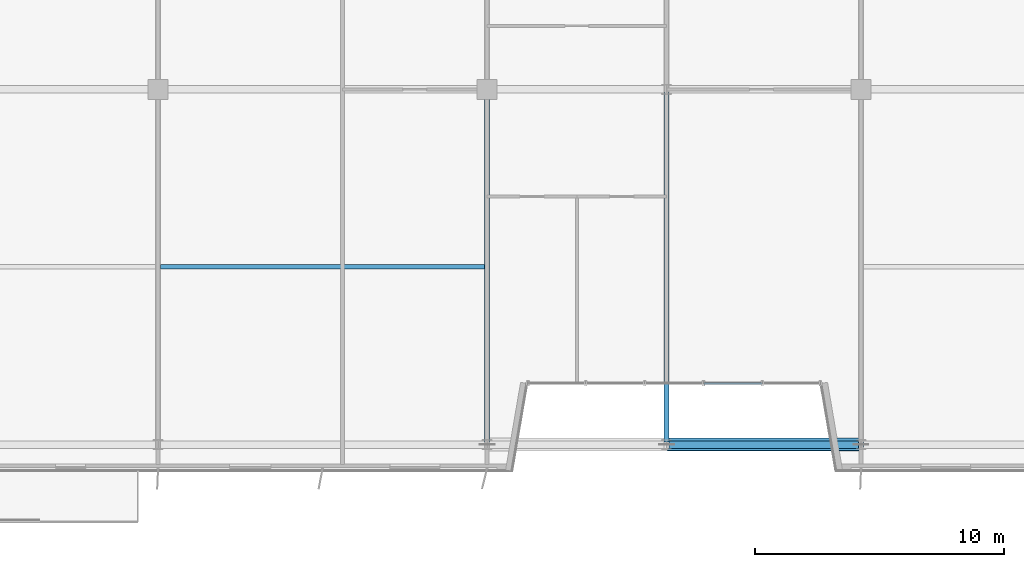
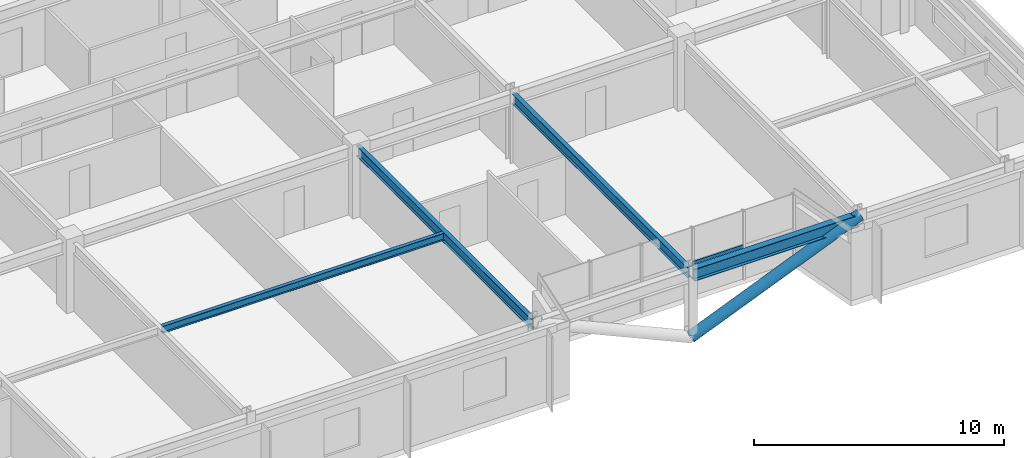
# One storey, part 6 of 26: 4 beams, 2 members, 1 element without a shape of its own.
"""IFC4 building model written with IfcOpenShell, lengths in metres."""

from ifc_helpers import new_model, si_unit, direction, frame, origin, origin_2d, place, context, subcontext, project, spatial, hollow_rectangle, hollow_circle, i_section, extrude, source, transform, mapped, material, material_profile, profile_set, type_object, element, aggregate, save


model = new_model("IFC4")

# Units and contexts
model_context = context("Model", 3, precision=1e-05, world=origin(), true_north=direction((0.0, 1.0)))
body_context = subcontext(model_context, "Body", "Model", "MODEL_VIEW")
ifc_project = project(units=[si_unit("LENGTHUNIT", "METRE"), si_unit("AREAUNIT", "SQUARE_METRE"), si_unit("VOLUMEUNIT", "CUBIC_METRE"), si_unit("PLANEANGLEUNIT", "RADIAN"), si_unit("MASSUNIT", "GRAM", prefix="KILO")], contexts=[model_context])

# Site, building, storey
site_placement = place(None, origin())
site = spatial("IfcSite", under=ifc_project, at=site_placement, CompositionType="ELEMENT")
building_placement = place(site_placement, origin())
building = spatial("IfcBuilding", under=site, at=building_placement, Name="Trelvane Seafront Commons", CompositionType="ELEMENT")
storey_placement = place(building_placement, frame((0.0, 0.0, 124.89990234375)))
storey = spatial("IfcBuildingStorey", under=building, at=storey_placement, Name="L32", CompositionType="ELEMENT", Elevation=124.89990234375)

# Beams
ifc_material_1 = material(Name="Steel SM355 (S355)", Category="steel")
ifc_material_profile_1 = material_profile(ifc_material_1, i_section(OverallWidth=0.300048828125, OverallDepth=0.587890625, WebThickness=0.011962890625, FlangeThickness=0.02001953125, at=origin_2d()), Name="H-588x300x12x20")
ifc_profile_set_1 = profile_set([ifc_material_profile_1], Name="Steel SM355 (S355)")
beam_type_1 = type_object("IfcBeamType", Name="STR-BM-H588", PredefinedType="BEAM", material=ifc_profile_set_1)
shared_shape_1 = source(origin(), body_context, "Body", "SweptSolid", [
    extrude(i_section(OverallWidth=0.300048828125, OverallDepth=0.587890625, WebThickness=0.011962890625, FlangeThickness=0.02001953125, at=origin_2d()), origin(), (0.0, 0.0, 1.0), 7.599853515625),
])
beam_1_placement = place(storey_placement, frame((51.10009765625, 3.949951171875, 3.046142578125), z_axis=(1.0, 0.0, 0.0), x_axis=(0.0, 1.0, 0.0)))
element("IfcBeam", 1, at=beam_1_placement, inside=storey, type_object=beam_type_1, Name="L32 Primary Girder G-07", PredefinedType="BEAM", context=body_context, shape_type="MappedRepresentation", body=[
    mapped(shared_shape_1, transform((0.0, 0.0, 0.0), x_axis=(1.0, 0.0, 0.0), y_axis=(0.0, 1.0, 0.0), z_axis=(0.0, 0.0, 1.0), scale=1.0)),
])
ifc_material_profile_2 = material_profile(ifc_material_1, i_section(OverallWidth=0.199951171875, OverallDepth=0.5, WebThickness=0.010009765625, FlangeThickness=0.01611328125, at=origin_2d()), Name="H-500x200x10x16")
ifc_profile_set_2 = profile_set([ifc_material_profile_2], Name="Steel SM355 (S355)")
beam_type_2 = type_object("IfcBeamType", Name="STR-BM-H500", PredefinedType="BEAM", material=ifc_profile_set_2)
shared_shape_2 = source(origin(), body_context, "Body", "SweptSolid", [
    extrude(i_section(OverallWidth=0.199951171875, OverallDepth=0.5, WebThickness=0.010009765625, FlangeThickness=0.01611328125, at=origin_2d()), origin(), (0.0, 0.0, 1.0), 14.050048828125),
])
beam_2_placement = place(storey_placement, frame((51.0, 4.050048828125, 3.090087890625), z_axis=(0.0, 1.0, 0.0), x_axis=(-1.0, 0.0, 0.0)))
element("IfcBeam", 2, at=beam_2_placement, inside=storey, type_object=beam_type_2, Name="L32 Primary Girder G-55", PredefinedType="BEAM", context=body_context, shape_type="MappedRepresentation", body=[
    mapped(shared_shape_2, transform((0.0, 0.0, 0.0), x_axis=(1.0, 0.0, 0.0), y_axis=(0.0, 1.0, 0.0), z_axis=(0.0, 0.0, 1.0), scale=1.0)),
])
shared_shape_3 = source(origin(), body_context, "Body", "SweptSolid", [
    extrude(i_section(OverallWidth=0.199951171875, OverallDepth=0.5, WebThickness=0.010009765625, FlangeThickness=0.01611328125, at=origin_2d()), origin(), (0.0, 0.0, 1.0), 14.0),
])
beam_3_placement = place(storey_placement, frame((43.800048828125, 4.050048828125, 3.090087890625), z_axis=(0.0, 1.0, 0.0), x_axis=(-1.0, 0.0, 0.0)))
element("IfcBeam", 3, at=beam_3_placement, inside=storey, type_object=beam_type_2, Name="L32 Primary Girder G-52", PredefinedType="BEAM", context=body_context, shape_type="MappedRepresentation", body=[
    mapped(shared_shape_3, transform((0.0, 0.0, 0.0), x_axis=(1.0, 0.0, 0.0), y_axis=(0.0, 1.0, 0.0), z_axis=(0.0, 0.0, 1.0), scale=1.0)),
])
ifc_material_profile_3 = material_profile(ifc_material_1, i_section(OverallWidth=0.175048828125, OverallDepth=0.35009765625, WebThickness=0.007080078125, FlangeThickness=0.010986328125, at=origin_2d()), Name="H-350x175x7x11")
ifc_profile_set_3 = profile_set([ifc_material_profile_3], Name="Steel SM355 (S355)")
beam_type_3 = type_object("IfcBeamType", Name="STR-JST-H350", PredefinedType="JOIST", material=ifc_profile_set_3)
shared_shape_4 = source(origin(), body_context, "Body", "SweptSolid", [
    extrude(i_section(OverallWidth=0.175048828125, OverallDepth=0.35009765625, WebThickness=0.007080078125, FlangeThickness=0.010986328125, at=origin_2d()), origin(), (0.0, 0.0, 1.0), 13.0),
])
beam_4_placement = place(storey_placement, frame((30.699951171875, 11.074951171875, 3.1650390625), z_axis=(1.0, 0.0, 0.0), x_axis=(0.0, 1.0, 0.0)))
element("IfcBeam", 4, at=beam_4_placement, inside=storey, type_object=beam_type_3, Name="L32 Secondary Floor Joist B-71", PredefinedType="JOIST", context=body_context, shape_type="MappedRepresentation", body=[
    mapped(shared_shape_4, transform((0.0, 0.0, 0.0), x_axis=(1.0, 0.0, 0.0), y_axis=(0.0, 1.0, 0.0), z_axis=(0.0, 0.0, 1.0), scale=1.0)),
])

# Member
ifc_material_profile_4 = material_profile(ifc_material_1, hollow_circle(Radius=0.25390625, WallThickness=0.02001953125, at=origin_2d()), Name="CHS-508x20")
ifc_profile_set_4 = profile_set([ifc_material_profile_4], Name="Steel SM355 (S355)")
member_type_1 = type_object("IfcMemberType", Name="STR-STR-CHS508", PredefinedType="STRUT", material=ifc_profile_set_4)
shared_shape_5 = source(origin(), body_context, "Body", "SweptSolid", [
    extrude(hollow_circle(Radius=0.25390625, WallThickness=0.02001953125, at=origin_2d()), origin(), (0.0, 0.0, 1.0), 8.438720703125),
])
member_1_placement = place(storey_placement, frame((51.0, 3.949951171875, 0.0), z_axis=(0.924325991844, 0.0, 0.381603800821), x_axis=(0.0, 1.0, 0.0)))
element("IfcMember", 5, at=member_1_placement, inside=storey, type_object=member_type_1, Name="L32 Sky-Garden V-Chevron Brace SGV-E", PredefinedType="STRUT", context=body_context, shape_type="MappedRepresentation", body=[
    mapped(shared_shape_5, transform((0.0, 0.0, 0.0), x_axis=(1.0, 0.0, 0.0), y_axis=(0.0, 1.0, 0.0), z_axis=(0.0, 0.0, 1.0), scale=1.0)),
])

# Curtain wall, member
ifc_material_2 = material(Name="Anodised pale-silver aluminium", Category="aluminium")
curtain_wall_type = type_object("IfcCurtainWallType", Name="ARCH-CW3-PORTAL", PredefinedType="NOTDEFINED", material=ifc_material_2)
curtain_wall_placement = place(storey_placement, origin())
curtain_wall = element("IfcCurtainWall", 6, at=curtain_wall_placement, inside=storey, type_object=curtain_wall_type, Name="CW-L32-VN-0058", PredefinedType="NOTDEFINED")
ifc_material_profile_5 = material_profile(ifc_material_2, hollow_rectangle(XDim=0.080078125, YDim=0.159912109375, WallThickness=0.00439453125, at=origin_2d()), Name="TRAN-80x160x4.5")
ifc_profile_set_5 = profile_set([ifc_material_profile_5], Name="Anodised pale-silver aluminium")
member_type_2 = type_object("IfcMemberType", Name="ARCH-CW-TRAN-160", PredefinedType="USERDEFINED", material=ifc_profile_set_5)
shared_shape_6 = source(origin(), body_context, "Body", "SweptSolid", [
    extrude(hollow_rectangle(XDim=0.080078125, YDim=0.159912109375, WallThickness=0.00439453125, at=origin_2d()), origin(), (0.0, 0.0, 1.0), 2.3359375),
])
member_2_placement = place(storey_placement, frame((54.827880859375, 6.39990234375, 1.60302734375), z_axis=(-1.0, 0.0, 0.0), x_axis=(0.0, -1.0, 0.0)))
member_2 = element("IfcMember", 7, at=member_2_placement, type_object=member_type_2, Name="CW-L32-VN-0058-T01", ObjectType="TRANSOM", PredefinedType="USERDEFINED", context=body_context, shape_type="MappedRepresentation", body=[
    mapped(shared_shape_6, transform((0.0, 0.0, 0.0), x_axis=(1.0, 0.0, 0.0), y_axis=(0.0, 1.0, 0.0), z_axis=(0.0, 0.0, 1.0), scale=1.0)),
])
aggregate(curtain_wall, [member_2])

save(model, "model.ifc")
